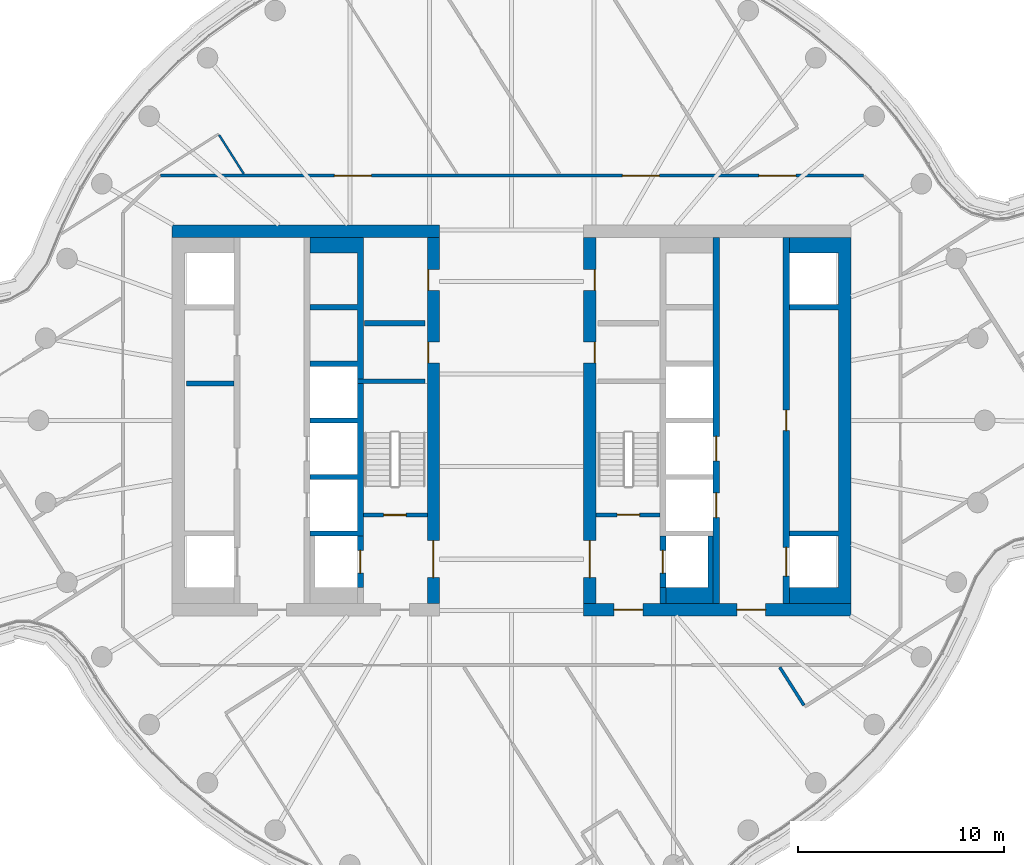
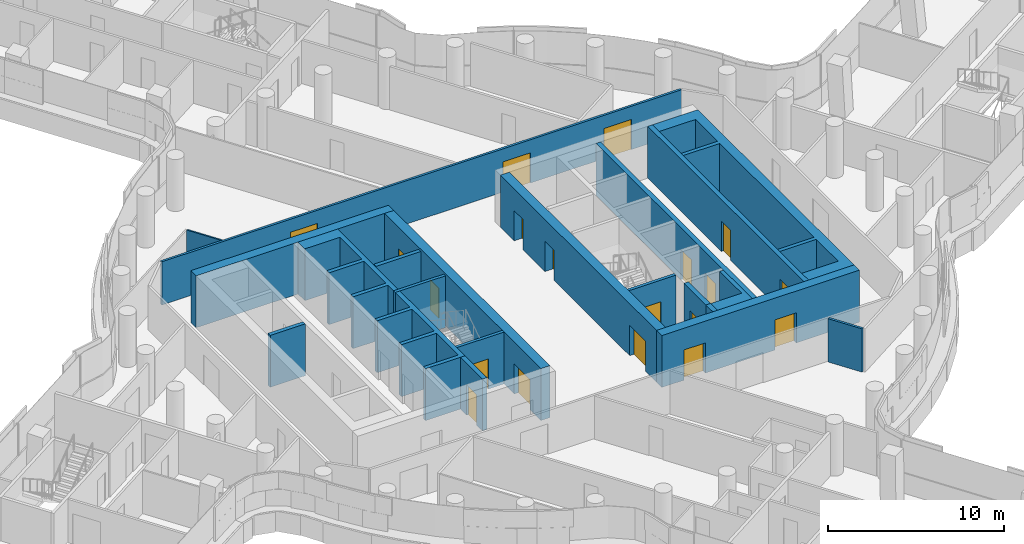
# One storey, part 25 of 36: 20 walls, 19 doors, 19 openings.
"""IFC4 building model written with IfcOpenShell, lengths in metres."""

from ifc_helpers import new_model, si_unit, direction, frame, frame_2d, origin, place, context, subcontext, project, spatial, polyline, rectangle, outline, extrude, material, layer, layer_set, type_object, element, fill, save


model = new_model("IFC4")

# Units and contexts
model_context = context("Model", 3, precision=1e-05, world=origin(), true_north=direction((0.0, 1.0)))
body_context = subcontext(model_context, "Body", "Model", "MODEL_VIEW")
ifc_project = project(units=[si_unit("LENGTHUNIT", "METRE"), si_unit("AREAUNIT", "SQUARE_METRE"), si_unit("VOLUMEUNIT", "CUBIC_METRE"), si_unit("PLANEANGLEUNIT", "RADIAN"), si_unit("MASSUNIT", "GRAM", prefix="KILO")], contexts=[model_context])

# Site, building, storey
site_placement = place(None, origin())
site = spatial("IfcSite", under=ifc_project, at=site_placement, CompositionType="ELEMENT")
building_placement = place(site_placement, origin())
building = spatial("IfcBuilding", under=site, at=building_placement, Name="Tamarind Cross Interchange Tower", CompositionType="ELEMENT")
storey_placement = place(building_placement, frame((0.0, 0.0, 151.75)))
storey = spatial("IfcBuildingStorey", under=building, at=storey_placement, Name="L37", CompositionType="ELEMENT", Elevation=151.75)

# Wall
ifc_material_1 = material(Name="Concrete C60", Category="concrete")
ifc_layer_1 = layer(ifc_material_1, 0.60009765625)
ifc_layer_set_1 = layer_set([ifc_layer_1], Name="Concrete C60")
wall_type_1 = type_object("IfcWallType", Name="Core wall 600 mm Concrete C60", PredefinedType="SHEAR", material=ifc_layer_set_1)
wall_1_placement = place(storey_placement, frame((-16.5, 9.199951171875, 0.0), z_axis=(0.0, 0.0, 1.0), x_axis=(1.0, 0.0, 0.0)))
element("IfcWall", 1, at=wall_1_placement, inside=storey, type_object=wall_type_1, Name="Core wall CWL-L37-W-NE", PredefinedType="SHEAR", context=body_context, shape_type="SweptSolid", body=[
    extrude(rectangle(XDim=13.0, YDim=0.60009765625, at=frame_2d((6.5, 0.0))), origin(), (0.0, 0.0, 1.0), 3.610107421875),
])

# Wall, openings, doors
wall_2_placement = place(storey_placement, frame((-3.800048828125, -8.89990234375, 0.0), z_axis=(0.0, 0.0, 1.0), x_axis=(0.0, 1.0, 0.0)))
wall_2 = element("IfcWall", 2, at=wall_2_placement, inside=storey, type_object=wall_type_1, Name="Core wall CWL-L37-W-IN", PredefinedType="SHEAR", context=body_context, shape_type="SweptSolid", body=[
    extrude(rectangle(XDim=17.7998046875, YDim=0.60009765625, at=frame_2d((8.89990234375, 0.0))), origin(), (0.0, 0.0, 1.0), 3.610107421875),
])
opening_1_placement = place(wall_2_placement, frame((1.25, 0.0, 0.0)))
opening_1 = element("IfcOpeningElement", 3, at=opening_1_placement, cuts=wall_2, Name="Opening DCW4", PredefinedType="OPENING", context=body_context, shape_type="SweptSolid", body=[
    extrude(rectangle(XDim=1.800048828125, YDim=2.10009765625, at=frame_2d((0.89990234375, 1.050048828125))), frame((0.0, 0.31005859375, 0.0), z_axis=(0.0, -1.0, 0.0), x_axis=(1.0, 0.0, 0.0)), (0.0, 0.0, 1.0), 0.6201171875),
])
opening_2_placement = place(wall_2_placement, frame((11.697509765625, 0.0, 0.0)))
opening_2 = element("IfcOpeningElement", 4, at=opening_2_placement, cuts=wall_2, Name="Opening DCW5", PredefinedType="OPENING", context=body_context, shape_type="SweptSolid", body=[
    extrude(rectangle(XDim=1.0, YDim=2.10009765625, at=frame_2d((0.5, 1.050048828125))), frame((0.0, 0.31005859375, 0.0), z_axis=(0.0, -1.0, 0.0), x_axis=(1.0, 0.0, 0.0)), (0.0, 0.0, 1.0), 0.6201171875),
])
opening_3_placement = place(wall_2_placement, frame((15.222412109375, 0.0, 0.0)))
opening_3 = element("IfcOpeningElement", 5, at=opening_3_placement, cuts=wall_2, Name="Opening DCW5", PredefinedType="OPENING", context=body_context, shape_type="SweptSolid", body=[
    extrude(rectangle(XDim=1.0, YDim=2.10009765625, at=frame_2d((0.5, 1.050048828125))), frame((0.0, 0.31005859375, 0.0), z_axis=(0.0, -1.0, 0.0), x_axis=(1.0, 0.0, 0.0)), (0.0, 0.0, 1.0), 0.6201171875),
])
ifc_material_2 = material(Name="Steel, fire-resisting", Category="steel")
door_type_1 = type_object("IfcDoorType", Name="Core fire door 1000 x 2100 FD90", OperationType="SINGLE_SWING_LEFT", PredefinedType="DOOR", material=ifc_material_2)
door_1_placement = place(opening_2_placement, origin())
door_1 = element("IfcDoor", 6, at=door_1_placement, inside=storey, type_object=door_type_1, Name="L37 comms room door", OperationType="SINGLE_SWING_LEFT", OverallHeight=2.10009765625, OverallWidth=1.0, PredefinedType="DOOR", context=body_context, shape_type="SweptSolid", body=[
    extrude(rectangle(XDim=1.0, YDim=2.10009765625, at=frame_2d((0.5, 1.050048828125))), frame((0.0, 0.27490234375, 0.0), z_axis=(0.0, -1.0, 0.0), x_axis=(1.0, 0.0, 0.0)), (0.0, 0.0, 1.0), 0.050048828125),
])
fill(opening_2, door_1)
door_2_placement = place(opening_3_placement, origin())
door_2 = element("IfcDoor", 7, at=door_2_placement, inside=storey, type_object=door_type_1, Name="L37 cleaner's store door", OperationType="SINGLE_SWING_LEFT", OverallHeight=2.10009765625, OverallWidth=1.0, PredefinedType="DOOR", context=body_context, shape_type="SweptSolid", body=[
    extrude(rectangle(XDim=1.0, YDim=2.10009765625, at=frame_2d((0.5, 1.050048828125))), frame((0.0, 0.27490234375, 0.0), z_axis=(0.0, -1.0, 0.0), x_axis=(1.0, 0.0, 0.0)), (0.0, 0.0, 1.0), 0.050048828125),
])
fill(opening_3, door_2)
door_type_2 = type_object("IfcDoorType", Name="Core fire door 1800 x 2100 FD90", OperationType="SINGLE_SWING_LEFT", PredefinedType="DOOR", material=ifc_material_2)
door_3_placement = place(opening_1_placement, origin())
door_3 = element("IfcDoor", 8, at=door_3_placement, inside=storey, type_object=door_type_2, Name="L37 firefighting lobby door", OperationType="SINGLE_SWING_LEFT", OverallHeight=2.10009765625, OverallWidth=1.800048828125, PredefinedType="DOOR", context=body_context, shape_type="SweptSolid", body=[
    extrude(rectangle(XDim=1.800048828125, YDim=2.10009765625, at=frame_2d((0.89990234375, 1.050048828125))), frame((0.0, 0.02490234375, 0.0), z_axis=(0.0, -1.0, 0.0), x_axis=(1.0, 0.0, 0.0)), (0.0, 0.0, 1.0), 0.050048828125),
])
fill(opening_1, door_3)

wall_3_placement = place(storey_placement, frame((16.5, -9.199951171875, 0.0), z_axis=(0.0, 0.0, 1.0), x_axis=(-1.0, 0.0, 0.0)))
wall_3 = element("IfcWall", 9, at=wall_3_placement, inside=storey, type_object=wall_type_1, Name="Core wall CWL-L37-E-S", PredefinedType="SHEAR", context=body_context, shape_type="SweptSolid", body=[
    extrude(rectangle(XDim=13.0, YDim=0.60009765625, at=frame_2d((6.5, 0.0))), origin(), (0.0, 0.0, 1.0), 3.610107421875),
])
opening_4_placement = place(wall_3_placement, frame((4.14990234375, 0.0, 0.0)))
opening_4 = element("IfcOpeningElement", 10, at=opening_4_placement, cuts=wall_3, Name="Opening DCE1", PredefinedType="OPENING", context=body_context, shape_type="SweptSolid", body=[
    extrude(rectangle(XDim=1.39990234375, YDim=2.10009765625, at=frame_2d((0.699951171875, 1.050048828125))), frame((0.0, 0.31005859375, 0.0), z_axis=(0.0, -1.0, 0.0), x_axis=(1.0, 0.0, 0.0)), (0.0, 0.0, 1.0), 0.6201171875),
])
opening_5_placement = place(wall_3_placement, frame((10.125, 0.0, 0.0)))
opening_5 = element("IfcOpeningElement", 11, at=opening_5_placement, cuts=wall_3, Name="Opening DCEF", PredefinedType="OPENING", context=body_context, shape_type="SweptSolid", body=[
    extrude(rectangle(XDim=1.39990234375, YDim=2.10009765625, at=frame_2d((0.699951171875, 1.050048828125))), frame((0.0, 0.31005859375, 0.0), z_axis=(0.0, -1.0, 0.0), x_axis=(1.0, 0.0, 0.0)), (0.0, 0.0, 1.0), 0.6201171875),
])
door_type_3 = type_object("IfcDoorType", Name="Core fire door 1400 x 2100 FD90", OperationType="SINGLE_SWING_LEFT", PredefinedType="DOOR", material=ifc_material_2)
door_4_placement = place(opening_4_placement, origin())
door_4 = element("IfcDoor", 12, at=door_4_placement, inside=storey, type_object=door_type_3, Name="L37 lift lobby door", OperationType="SINGLE_SWING_LEFT", OverallHeight=2.10009765625, OverallWidth=1.39990234375, PredefinedType="DOOR", context=body_context, shape_type="SweptSolid", body=[
    extrude(rectangle(XDim=1.39990234375, YDim=2.10009765625, at=frame_2d((0.699951171875, 1.050048828125))), frame((0.0, 0.02490234375, 0.0), z_axis=(0.0, -1.0, 0.0), x_axis=(1.0, 0.0, 0.0)), (0.0, 0.0, 1.0), 0.050048828125),
])
fill(opening_4, door_4)
door_5_placement = place(opening_5_placement, origin())
door_5 = element("IfcDoor", 13, at=door_5_placement, inside=storey, type_object=door_type_3, Name="L37 firefighting lobby end door", OperationType="SINGLE_SWING_LEFT", OverallHeight=2.10009765625, OverallWidth=1.39990234375, PredefinedType="DOOR", context=body_context, shape_type="SweptSolid", body=[
    extrude(rectangle(XDim=1.39990234375, YDim=2.10009765625, at=frame_2d((0.699951171875, 1.050048828125))), frame((0.0, 0.02490234375, 0.0), z_axis=(0.0, -1.0, 0.0), x_axis=(1.0, 0.0, 0.0)), (0.0, 0.0, 1.0), 0.050048828125),
])
fill(opening_5, door_5)

# Wall
wall_4_placement = place(storey_placement, origin())
element("IfcWall", 14, at=wall_4_placement, inside=storey, type_object=wall_type_1, Name="Core wall CWL-L37-E-A", PredefinedType="SHEAR", context=body_context, shape_type="SweptSolid", body=[
    extrude(outline(polyline([(13.5, -8.125), (13.5, -8.89990234375), (15.89990234375, -8.89990234375), (16.5, -8.89990234375), (16.5, 8.89990234375), (15.89990234375, 8.89990234375), (13.5, 8.89990234375), (13.5, 8.125), (15.89990234375, 8.125), (15.89990234375, 5.625), (13.5, 5.625), (13.5, 5.375), (15.89990234375, 5.375), (15.89990234375, -5.375), (13.5, -5.375), (13.5, -5.625), (15.89990234375, -5.625), (15.89990234375, -8.125), (13.5, -8.125)])), origin(), (0.0, 0.0, 1.0), 3.610107421875),
])

# Wall, openings, doors
wall_5_placement = place(storey_placement, frame((3.800048828125, -8.89990234375, 0.0), z_axis=(0.0, 0.0, 1.0), x_axis=(0.0, 1.0, 0.0)))
wall_5 = element("IfcWall", 15, at=wall_5_placement, inside=storey, type_object=wall_type_1, Name="Core wall CWL-L37-E-IN", PredefinedType="SHEAR", context=body_context, shape_type="SweptSolid", body=[
    extrude(rectangle(XDim=17.7998046875, YDim=0.60009765625, at=frame_2d((8.89990234375, 0.0))), origin(), (0.0, 0.0, 1.0), 3.610107421875),
])
opening_6_placement = place(wall_5_placement, frame((1.25, 0.0, 0.0)))
opening_6 = element("IfcOpeningElement", 16, at=opening_6_placement, cuts=wall_5, Name="Opening DCE4", PredefinedType="OPENING", context=body_context, shape_type="SweptSolid", body=[
    extrude(rectangle(XDim=1.800048828125, YDim=2.10009765625, at=frame_2d((0.89990234375, 1.050048828125))), frame((0.0, 0.31005859375, 0.0), z_axis=(0.0, -1.0, 0.0), x_axis=(1.0, 0.0, 0.0)), (0.0, 0.0, 1.0), 0.6201171875),
])
opening_7_placement = place(wall_5_placement, frame((11.697509765625, 0.0, 0.0)))
opening_7 = element("IfcOpeningElement", 17, at=opening_7_placement, cuts=wall_5, Name="Opening DCE5", PredefinedType="OPENING", context=body_context, shape_type="SweptSolid", body=[
    extrude(rectangle(XDim=1.0, YDim=2.10009765625, at=frame_2d((0.5, 1.050048828125))), frame((0.0, 0.31005859375, 0.0), z_axis=(0.0, -1.0, 0.0), x_axis=(1.0, 0.0, 0.0)), (0.0, 0.0, 1.0), 0.6201171875),
])
opening_8_placement = place(wall_5_placement, frame((15.222412109375, 0.0, 0.0)))
opening_8 = element("IfcOpeningElement", 18, at=opening_8_placement, cuts=wall_5, Name="Opening DCE5", PredefinedType="OPENING", context=body_context, shape_type="SweptSolid", body=[
    extrude(rectangle(XDim=1.0, YDim=2.10009765625, at=frame_2d((0.5, 1.050048828125))), frame((0.0, 0.31005859375, 0.0), z_axis=(0.0, -1.0, 0.0), x_axis=(1.0, 0.0, 0.0)), (0.0, 0.0, 1.0), 0.6201171875),
])
door_6_placement = place(opening_7_placement, origin())
door_6 = element("IfcDoor", 19, at=door_6_placement, inside=storey, type_object=door_type_1, Name="L37 comms room door", OperationType="SINGLE_SWING_LEFT", OverallHeight=2.10009765625, OverallWidth=1.0, PredefinedType="DOOR", context=body_context, shape_type="SweptSolid", body=[
    extrude(rectangle(XDim=1.0, YDim=2.10009765625, at=frame_2d((0.5, 1.050048828125))), frame((0.0, -0.22509765625, 0.0), z_axis=(0.0, -1.0, 0.0), x_axis=(1.0, 0.0, 0.0)), (0.0, 0.0, 1.0), 0.050048828125),
])
fill(opening_7, door_6)
door_7_placement = place(opening_8_placement, origin())
door_7 = element("IfcDoor", 20, at=door_7_placement, inside=storey, type_object=door_type_1, Name="L37 cleaner's store door", OperationType="SINGLE_SWING_LEFT", OverallHeight=2.10009765625, OverallWidth=1.0, PredefinedType="DOOR", context=body_context, shape_type="SweptSolid", body=[
    extrude(rectangle(XDim=1.0, YDim=2.10009765625, at=frame_2d((0.5, 1.050048828125))), frame((0.0, -0.22509765625, 0.0), z_axis=(0.0, -1.0, 0.0), x_axis=(1.0, 0.0, 0.0)), (0.0, 0.0, 1.0), 0.050048828125),
])
fill(opening_8, door_7)
door_8_placement = place(opening_6_placement, origin())
door_8 = element("IfcDoor", 21, at=door_8_placement, inside=storey, type_object=door_type_2, Name="L37 firefighting lobby door", OperationType="SINGLE_SWING_LEFT", OverallHeight=2.10009765625, OverallWidth=1.800048828125, PredefinedType="DOOR", context=body_context, shape_type="SweptSolid", body=[
    extrude(rectangle(XDim=1.800048828125, YDim=2.10009765625, at=frame_2d((0.89990234375, 1.050048828125))), frame((0.0, 0.02490234375, 0.0), z_axis=(0.0, -1.0, 0.0), x_axis=(1.0, 0.0, 0.0)), (0.0, 0.0, 1.0), 0.050048828125),
])
fill(opening_6, door_8)

# Walls
ifc_layer_2 = layer(ifc_material_1, 0.199951171875)
ifc_layer_set_2 = layer_set([ifc_layer_2], Name="Concrete C60")
wall_type_2 = type_object("IfcWallType", Name="Core web wall 200 mm Concrete C60", PredefinedType="SHEAR", material=ifc_layer_set_2)
wall_6_placement = place(storey_placement, frame((-7.5, 1.89990234375, 0.0), z_axis=(0.0, 0.0, 1.0), x_axis=(1.0, 0.0, 0.0)))
element("IfcWall", 22, at=wall_6_placement, inside=storey, type_object=wall_type_2, Name="Core wall CWL-L37-W-BD", PredefinedType="SHEAR", context=body_context, shape_type="SweptSolid", body=[
    extrude(rectangle(XDim=3.300048828125, YDim=0.199951171875, at=frame_2d((1.64990234375, 0.0))), origin(), (0.0, 0.0, 1.0), 3.610107421875),
])
ifc_layer_3 = layer(ifc_material_1, 0.300048828125)
ifc_layer_set_3 = layer_set([ifc_layer_3], Name="Concrete C60")
wall_type_3 = type_object("IfcWallType", Name="Core web wall 300 mm Concrete C60", PredefinedType="SHEAR", material=ifc_layer_set_3)
wall_7_placement = place(storey_placement, origin())
element("IfcWall", 23, at=wall_7_placement, inside=storey, type_object=wall_type_3, Name="Core wall CWL-L37-W-BN", PredefinedType="SHEAR", context=body_context, shape_type="SweptSolid", body=[
    extrude(outline(polyline([(-9.800048828125, -5.375), (-9.800048828125, -5.625), (-7.5, -5.625), (-7.199951171875, -5.625), (-7.199951171875, 8.89990234375), (-7.5, 8.89990234375), (-9.800048828125, 8.89990234375), (-9.800048828125, 8.125), (-7.5, 8.125), (-7.5, 5.625), (-9.800048828125, 5.625), (-9.800048828125, 5.375), (-7.5, 5.375), (-7.5, 2.875), (-9.800048828125, 2.875), (-9.800048828125, 2.625), (-7.5, 2.625), (-7.5, 0.125), (-9.800048828125, 0.125), (-9.800048828125, -0.125), (-7.5, -0.125), (-7.5, -2.625), (-9.800048828125, -2.625), (-9.800048828125, -2.875), (-7.5, -2.875), (-7.5, -5.375), (-9.800048828125, -5.375)])), origin(), (0.0, 0.0, 1.0), 3.610107421875),
])

# Wall, opening, door
wall_8_placement = place(storey_placement, frame((-7.35009765625, -8.125, 0.0), z_axis=(0.0, 0.0, 1.0), x_axis=(0.0, 1.0, 0.0)))
wall_8 = element("IfcWall", 24, at=wall_8_placement, inside=storey, type_object=wall_type_3, Name="Core wall CWL-L37-W-FF", PredefinedType="SHEAR", context=body_context, shape_type="SweptSolid", body=[
    extrude(rectangle(XDim=2.5, YDim=0.300048828125, at=frame_2d((1.25, 0.0))), origin(), (0.0, 0.0, 1.0), 3.610107421875),
])
opening_9_placement = place(wall_8_placement, frame((0.699951171875, 0.0, 0.0)))
opening_9 = element("IfcOpeningElement", 25, at=opening_9_placement, cuts=wall_8, Name="Opening LD7L37", PredefinedType="OPENING", context=body_context, shape_type="SweptSolid", body=[
    extrude(rectangle(XDim=1.10009765625, YDim=2.10009765625, at=frame_2d((0.550048828125, 1.050048828125))), frame((0.0, 0.159912109375, 0.0), z_axis=(0.0, -1.0, 0.0), x_axis=(1.0, 0.0, 0.0)), (0.0, 0.0, 1.0), 0.320068359375),
])
ifc_material_3 = material(Name="Stainless steel panel", Category="steel")
door_type_4 = type_object("IfcDoorType", Name="Lift landing door 1100 x 2100 E 120", OperationType="SLIDING_TO_LEFT", PredefinedType="DOOR", material=ifc_material_3)
door_9_placement = place(opening_9_placement, origin())
door_9 = element("IfcDoor", 26, at=door_9_placement, inside=storey, type_object=door_type_4, Name="L37 landing door LF7", OperationType="SLIDING_TO_LEFT", OverallHeight=2.10009765625, OverallWidth=1.10009765625, PredefinedType="DOOR", context=body_context, shape_type="SweptSolid", body=[
    extrude(rectangle(XDim=1.10009765625, YDim=2.10009765625, at=frame_2d((0.550048828125, 1.050048828125))), frame((0.0, 0.02490234375, 0.0), z_axis=(0.0, -1.0, 0.0), x_axis=(1.0, 0.0, 0.0)), (0.0, 0.0, 1.0), 0.050048828125),
])
fill(opening_9, door_9)

# Walls
wall_9_placement = place(storey_placement, origin())
element("IfcWall", 27, at=wall_9_placement, inside=storey, type_object=wall_type_3, Name="Core wall CWL-L37-E-BS", PredefinedType="SHEAR", context=body_context, shape_type="SweptSolid", body=[
    extrude(outline(polyline([(7.5, -8.125), (7.5, -8.89990234375), (9.800048828125, -8.89990234375), (9.800048828125, -8.125), (9.800048828125, -5.625), (9.550048828125, -5.625), (9.550048828125, -8.125), (7.5, -8.125)])), origin(), (0.0, 0.0, 1.0), 3.610107421875),
])
wall_10_placement = place(storey_placement, frame((7.35009765625, -8.89990234375, 0.0), z_axis=(0.0, 0.0, 1.0), x_axis=(0.0, 1.0, 0.0)))
element("IfcWall", 28, at=wall_10_placement, inside=storey, type_object=wall_type_3, Name="Core wall CWL-L37-E-BW", PredefinedType="SHEAR", context=body_context, shape_type="SweptSolid", body=[
    extrude(rectangle(XDim=0.77490234375, YDim=0.300048828125, at=frame_2d((0.387451171875, 0.0))), origin(), (0.0, 0.0, 1.0), 3.610107421875),
])

# Wall, openings, doors
wall_11_placement = place(storey_placement, frame((13.35009765625, -8.89990234375, 0.0), z_axis=(0.0, 0.0, 1.0), x_axis=(0.0, 1.0, 0.0)))
wall_11 = element("IfcWall", 29, at=wall_11_placement, inside=storey, type_object=wall_type_3, Name="Core wall CWL-L37-E-LA", PredefinedType="SHEAR", context=body_context, shape_type="SweptSolid", body=[
    extrude(rectangle(XDim=17.7998046875, YDim=0.300048828125, at=frame_2d((8.89990234375, 0.0))), origin(), (0.0, 0.0, 1.0), 3.610107421875),
])
opening_10_placement = place(wall_11_placement, frame((1.324951171875, 0.0, 0.0)))
opening_10 = element("IfcOpeningElement", 30, at=opening_10_placement, cuts=wall_11, Name="Opening LD13L37", PredefinedType="OPENING", context=body_context, shape_type="SweptSolid", body=[
    extrude(rectangle(XDim=1.39990234375, YDim=2.10009765625, at=frame_2d((0.699951171875, 1.050048828125))), frame((0.0, 0.159912109375, 0.0), z_axis=(0.0, -1.0, 0.0), x_axis=(1.0, 0.0, 0.0)), (0.0, 0.0, 1.0), 0.320068359375),
])
opening_11_placement = place(wall_11_placement, frame((8.39990234375, 0.0, 0.0)))
opening_11 = element("IfcOpeningElement", 31, at=opening_11_placement, cuts=wall_11, Name="Opening DCE9", PredefinedType="OPENING", context=body_context, shape_type="SweptSolid", body=[
    extrude(rectangle(XDim=1.0, YDim=2.10009765625, at=frame_2d((0.5, 1.050048828125))), frame((0.0, 0.159912109375, 0.0), z_axis=(0.0, -1.0, 0.0), x_axis=(1.0, 0.0, 0.0)), (0.0, 0.0, 1.0), 0.320068359375),
])
door_10_placement = place(opening_11_placement, origin())
door_10 = element("IfcDoor", 32, at=door_10_placement, inside=storey, type_object=door_type_1, Name="L37 Meter room door", OperationType="SINGLE_SWING_LEFT", OverallHeight=2.10009765625, OverallWidth=1.0, PredefinedType="DOOR", context=body_context, shape_type="SweptSolid", body=[
    extrude(rectangle(XDim=1.0, YDim=2.10009765625, at=frame_2d((0.5, 1.050048828125))), frame((0.0, 0.02490234375, 0.0), z_axis=(0.0, -1.0, 0.0), x_axis=(1.0, 0.0, 0.0)), (0.0, 0.0, 1.0), 0.050048828125),
])
fill(opening_11, door_10)
door_type_5 = type_object("IfcDoorType", Name="Lift landing door 1400 x 2100 E 120", OperationType="SLIDING_TO_LEFT", PredefinedType="DOOR", material=ifc_material_3)
door_11_placement = place(opening_10_placement, origin())
door_11 = element("IfcDoor", 33, at=door_11_placement, inside=storey, type_object=door_type_5, Name="L37 landing door LF13", OperationType="SLIDING_TO_LEFT", OverallHeight=2.10009765625, OverallWidth=1.39990234375, PredefinedType="DOOR", context=body_context, shape_type="SweptSolid", body=[
    extrude(rectangle(XDim=1.39990234375, YDim=2.10009765625, at=frame_2d((0.699951171875, 1.050048828125))), frame((0.0, 0.02490234375, 0.0), z_axis=(0.0, -1.0, 0.0), x_axis=(1.0, 0.0, 0.0)), (0.0, 0.0, 1.0), 0.050048828125),
])
fill(opening_10, door_11)

wall_12_placement = place(storey_placement, frame((9.949951171875, -8.89990234375, 0.0), z_axis=(0.0, 0.0, 1.0), x_axis=(0.0, 1.0, 0.0)))
wall_12 = element("IfcWall", 34, at=wall_12_placement, inside=storey, type_object=wall_type_3, Name="Core wall CWL-L37-E-LB", PredefinedType="SHEAR", context=body_context, shape_type="SweptSolid", body=[
    extrude(rectangle(XDim=17.7998046875, YDim=0.300048828125, at=frame_2d((8.89990234375, 0.0))), origin(), (0.0, 0.0, 1.0), 3.610107421875),
])
opening_12_placement = place(wall_12_placement, frame((4.175048828125, 0.0, 0.0)))
opening_12 = element("IfcOpeningElement", 35, at=opening_12_placement, cuts=wall_12, Name="Opening LD20L37", PredefinedType="OPENING", context=body_context, shape_type="SweptSolid", body=[
    extrude(rectangle(XDim=1.199951171875, YDim=2.10009765625, at=frame_2d((0.60009765625, 1.050048828125))), frame((0.0, 0.159912109375, 0.0), z_axis=(0.0, -1.0, 0.0), x_axis=(1.0, 0.0, 0.0)), (0.0, 0.0, 1.0), 0.320068359375),
])
opening_13_placement = place(wall_12_placement, frame((6.925048828125, 0.0, 0.0)))
opening_13 = element("IfcOpeningElement", 36, at=opening_13_placement, cuts=wall_12, Name="Opening LD21L37", PredefinedType="OPENING", context=body_context, shape_type="SweptSolid", body=[
    extrude(rectangle(XDim=1.199951171875, YDim=2.10009765625, at=frame_2d((0.60009765625, 1.050048828125))), frame((0.0, 0.159912109375, 0.0), z_axis=(0.0, -1.0, 0.0), x_axis=(1.0, 0.0, 0.0)), (0.0, 0.0, 1.0), 0.320068359375),
])
door_type_6 = type_object("IfcDoorType", Name="Lift landing door 1200 x 2100 E 120", OperationType="SLIDING_TO_LEFT", PredefinedType="DOOR", material=ifc_material_3)
door_12_placement = place(opening_12_placement, origin())
door_12 = element("IfcDoor", 37, at=door_12_placement, inside=storey, type_object=door_type_6, Name="L37 landing door LF20", OperationType="SLIDING_TO_LEFT", OverallHeight=2.10009765625, OverallWidth=1.199951171875, PredefinedType="DOOR", context=body_context, shape_type="SweptSolid", body=[
    extrude(rectangle(XDim=1.199951171875, YDim=2.10009765625, at=frame_2d((0.60009765625, 1.050048828125))), frame((0.0, 0.02490234375, 0.0), z_axis=(0.0, -1.0, 0.0), x_axis=(1.0, 0.0, 0.0)), (0.0, 0.0, 1.0), 0.050048828125),
])
fill(opening_12, door_12)
door_13_placement = place(opening_13_placement, origin())
door_13 = element("IfcDoor", 38, at=door_13_placement, inside=storey, type_object=door_type_6, Name="L37 landing door LF21", OperationType="SLIDING_TO_LEFT", OverallHeight=2.10009765625, OverallWidth=1.199951171875, PredefinedType="DOOR", context=body_context, shape_type="SweptSolid", body=[
    extrude(rectangle(XDim=1.199951171875, YDim=2.10009765625, at=frame_2d((0.60009765625, 1.050048828125))), frame((0.0, 0.02490234375, 0.0), z_axis=(0.0, -1.0, 0.0), x_axis=(1.0, 0.0, 0.0)), (0.0, 0.0, 1.0), 0.050048828125),
])
fill(opening_13, door_13)

# Wall, opening, door
wall_13_placement = place(storey_placement, frame((7.35009765625, -8.125, 0.0), z_axis=(0.0, 0.0, 1.0), x_axis=(0.0, 1.0, 0.0)))
wall_13 = element("IfcWall", 39, at=wall_13_placement, inside=storey, type_object=wall_type_3, Name="Core wall CWL-L37-E-FF", PredefinedType="SHEAR", context=body_context, shape_type="SweptSolid", body=[
    extrude(rectangle(XDim=2.5, YDim=0.300048828125, at=frame_2d((1.25, 0.0))), origin(), (0.0, 0.0, 1.0), 3.610107421875),
])
opening_14_placement = place(wall_13_placement, frame((0.699951171875, 0.0, 0.0)))
opening_14 = element("IfcOpeningElement", 40, at=opening_14_placement, cuts=wall_13, Name="Opening LD19L37", PredefinedType="OPENING", context=body_context, shape_type="SweptSolid", body=[
    extrude(rectangle(XDim=1.10009765625, YDim=2.10009765625, at=frame_2d((0.550048828125, 1.050048828125))), frame((0.0, 0.159912109375, 0.0), z_axis=(0.0, -1.0, 0.0), x_axis=(1.0, 0.0, 0.0)), (0.0, 0.0, 1.0), 0.320068359375),
])
door_14_placement = place(opening_14_placement, origin())
door_14 = element("IfcDoor", 41, at=door_14_placement, inside=storey, type_object=door_type_4, Name="L37 landing door LF19", OperationType="SLIDING_TO_LEFT", OverallHeight=2.10009765625, OverallWidth=1.10009765625, PredefinedType="DOOR", context=body_context, shape_type="SweptSolid", body=[
    extrude(rectangle(XDim=1.10009765625, YDim=2.10009765625, at=frame_2d((0.550048828125, 1.050048828125))), frame((0.0, 0.02490234375, 0.0), z_axis=(0.0, -1.0, 0.0), x_axis=(1.0, 0.0, 0.0)), (0.0, 0.0, 1.0), 0.050048828125),
])
fill(opening_14, door_14)

# Walls
ifc_material_4 = material(Name="Gypsum board partition on steel studs", Category="steel")
ifc_layer_4 = layer(ifc_material_4, 0.10009765625)
ifc_layer_set_4 = layer_set([ifc_layer_4], Name="Gypsum board partition on steel studs")
wall_type_4 = type_object("IfcWallType", Name="Partition 100 mm EI 90", PredefinedType="PARTITIONING", material=ifc_layer_set_4)
wall_14_placement = place(storey_placement, frame((-14.22216796875, 13.874755859375, 0.0), z_axis=(0.0, 0.0, 1.0), x_axis=(0.535498381377, -0.844536253539, 0.0)))
element("IfcWall", 42, at=wall_14_placement, inside=storey, type_object=wall_type_4, Name="Partition L37-007", PredefinedType="PARTITIONING", context=body_context, shape_type="SweptSolid", body=[
    extrude(rectangle(XDim=2.238037109375, YDim=0.10009765625, at=frame_2d((1.119140625, 0.0))), origin(), (0.0, 0.0, 1.0), 3.010009765625),
])
ifc_layer_5 = layer(ifc_material_4, 0.14990234375)
ifc_layer_set_5 = layer_set([ifc_layer_5], Name="Gypsum board partition on steel studs")
wall_type_5 = type_object("IfcWallType", Name="Partition 150 mm EI 120", PredefinedType="PARTITIONING", material=ifc_layer_set_5)
wall_15_placement = place(storey_placement, frame((13.031494140625, -11.9970703125, 0.0), z_axis=(0.0, 0.0, 1.0), x_axis=(0.535487935778, -0.84454287673, 0.0)))
element("IfcWall", 43, at=wall_15_placement, inside=storey, type_object=wall_type_5, Name="Partition L37-028", PredefinedType="PARTITIONING", context=body_context, shape_type="SweptSolid", body=[
    extrude(rectangle(XDim=2.198486328125, YDim=0.14990234375, at=frame_2d((1.09912109375, 0.0))), origin(), (0.0, 0.0, 1.0), 3.010009765625),
])

# Wall, openings, doors
wall_16_placement = place(storey_placement, frame((-17.06494140625, 11.89990234375, 0.0), z_axis=(0.0, 0.0, 1.0), x_axis=(1.0, 0.0, 0.0)))
wall_16 = element("IfcWall", 44, at=wall_16_placement, inside=storey, type_object=wall_type_5, Name="Partition L37-036", PredefinedType="PARTITIONING", context=body_context, shape_type="SweptSolid", body=[
    extrude(rectangle(XDim=34.1650390625, YDim=0.14990234375, at=frame_2d((17.08251953125, 0.0))), origin(), (0.0, 0.0, 1.0), 3.010009765625),
])
opening_15_placement = place(wall_16_placement, frame((22.446044921875, 0.0, 0.0)))
opening_15 = element("IfcOpeningElement", 45, at=opening_15_placement, cuts=wall_16, Name="Opening D26", PredefinedType="OPENING", context=body_context, shape_type="SweptSolid", body=[
    extrude(rectangle(XDim=1.800048828125, YDim=2.10009765625, at=frame_2d((0.89990234375, 1.050048828125))), frame((0.0, 0.0849609375, 0.0), z_axis=(0.0, -1.0, 0.0), x_axis=(1.0, 0.0, 0.0)), (0.0, 0.0, 1.0), 0.169921875),
])
opening_16_placement = place(wall_16_placement, frame((29.0791015625, 0.0, 0.0)))
opening_16 = element("IfcOpeningElement", 46, at=opening_16_placement, cuts=wall_16, Name="Opening D27", PredefinedType="OPENING", context=body_context, shape_type="SweptSolid", body=[
    extrude(rectangle(XDim=1.800048828125, YDim=2.10009765625, at=frame_2d((0.89990234375, 1.050048828125))), frame((0.0, 0.0849609375, 0.0), z_axis=(0.0, -1.0, 0.0), x_axis=(1.0, 0.0, 0.0)), (0.0, 0.0, 1.0), 0.169921875),
])
opening_17_placement = place(wall_16_placement, frame((8.445068359375, 0.0, 0.0)))
opening_17 = element("IfcOpeningElement", 47, at=opening_17_placement, cuts=wall_16, Name="Opening D28", PredefinedType="OPENING", context=body_context, shape_type="SweptSolid", body=[
    extrude(rectangle(XDim=1.800048828125, YDim=2.10009765625, at=frame_2d((0.89990234375, 1.050048828125))), frame((0.0, 0.0849609375, 0.0), z_axis=(0.0, -1.0, 0.0), x_axis=(1.0, 0.0, 0.0)), (0.0, 0.0, 1.0), 0.169921875),
])
ifc_material_5 = material(Name="Fire-resisting door set")
door_type_7 = type_object("IfcDoorType", Name="Interior door 1800 x 2100 FD60S", OperationType="DOUBLE_DOOR_SINGLE_SWING", PredefinedType="DOOR", material=ifc_material_5)
door_15_placement = place(opening_15_placement, frame((1.800048828125, 0.0, 0.0), z_axis=(0.0, 0.0, 1.0), x_axis=(-1.0, 0.0, 0.0)))
door_15 = element("IfcDoor", 48, at=door_15_placement, inside=storey, type_object=door_type_7, Name="Door D26", OperationType="DOUBLE_DOOR_SINGLE_SWING", OverallHeight=2.10009765625, OverallWidth=1.800048828125, PredefinedType="DOOR", context=body_context, shape_type="SweptSolid", body=[
    extrude(rectangle(XDim=1.800048828125, YDim=2.10009765625, at=frame_2d((0.89990234375, 1.050048828125))), frame((0.0, 0.02490234375, 0.0), z_axis=(0.0, -1.0, 0.0), x_axis=(1.0, 0.0, 0.0)), (0.0, 0.0, 1.0), 0.050048828125),
])
fill(opening_15, door_15)
door_16_placement = place(opening_16_placement, origin())
door_16 = element("IfcDoor", 49, at=door_16_placement, inside=storey, type_object=door_type_7, Name="Door D27", OperationType="DOUBLE_DOOR_SINGLE_SWING", OverallHeight=2.10009765625, OverallWidth=1.800048828125, PredefinedType="DOOR", context=body_context, shape_type="SweptSolid", body=[
    extrude(rectangle(XDim=1.800048828125, YDim=2.10009765625, at=frame_2d((0.89990234375, 1.050048828125))), frame((0.0, 0.02490234375, 0.0), z_axis=(0.0, -1.0, 0.0), x_axis=(1.0, 0.0, 0.0)), (0.0, 0.0, 1.0), 0.050048828125),
])
fill(opening_16, door_16)
door_17_placement = place(opening_17_placement, origin())
door_17 = element("IfcDoor", 50, at=door_17_placement, inside=storey, type_object=door_type_7, Name="Door D28", OperationType="DOUBLE_DOOR_SINGLE_SWING", OverallHeight=2.10009765625, OverallWidth=1.800048828125, PredefinedType="DOOR", context=body_context, shape_type="SweptSolid", body=[
    extrude(rectangle(XDim=1.800048828125, YDim=2.10009765625, at=frame_2d((0.89990234375, 1.050048828125))), frame((0.0, 0.02490234375, 0.0), z_axis=(0.0, -1.0, 0.0), x_axis=(1.0, 0.0, 0.0)), (0.0, 0.0, 1.0), 0.050048828125),
])
fill(opening_17, door_17)

# Walls
ifc_material_6 = material(Name="Concrete C40", Category="concrete")
ifc_layer_6 = layer(ifc_material_6, 0.25)
ifc_layer_set_6 = layer_set([ifc_layer_6], Name="Concrete C40")
wall_type_6 = type_object("IfcWallType", Name="Shaft and lobby wall 250 mm Concrete C40", PredefinedType="PARTITIONING", material=ifc_layer_set_6)
wall_17_placement = place(storey_placement, frame((-7.14990234375, 4.719970703125, 0.0), z_axis=(0.0, 0.0, 1.0), x_axis=(1.0, 0.0, 0.0)))
element("IfcWall", 51, at=wall_17_placement, inside=storey, type_object=wall_type_6, Name="Shaft wall CWL-L37-W-SVP", PredefinedType="PARTITIONING", context=body_context, shape_type="SweptSolid", body=[
    extrude(rectangle(XDim=2.949951171875, YDim=0.25, at=frame_2d((1.47509765625, 0.0))), origin(), (0.0, 0.0, 1.0), 3.610107421875),
])
wall_18_placement = place(storey_placement, frame((-15.800048828125, 1.7919921875, 0.0), z_axis=(0.0, 0.0, 1.0), x_axis=(1.0, 0.0, 0.0)))
element("IfcWall", 52, at=wall_18_placement, inside=storey, type_object=wall_type_6, Name="Shaft wall CWL-L37-W-FPA1", PredefinedType="PARTITIONING", context=body_context, shape_type="SweptSolid", body=[
    extrude(rectangle(XDim=2.300048828125, YDim=0.25, at=frame_2d((1.14990234375, 0.0))), origin(), (0.0, 0.0, 1.0), 3.610107421875),
])

# Wall, opening, door
ifc_layer_7 = layer(ifc_material_6, 0.199951171875)
ifc_layer_set_7 = layer_set([ifc_layer_7], Name="Concrete C40")
wall_type_7 = type_object("IfcWallType", Name="Stair shaft wall 200 mm Concrete C40", PredefinedType="SHEAR", material=ifc_layer_set_7)
wall_19_placement = place(storey_placement, frame((-7.199951171875, -4.60009765625, 0.0), z_axis=(0.0, 0.0, 1.0), x_axis=(1.0, 0.0, 0.0)))
wall_19 = element("IfcWall", 53, at=wall_19_placement, inside=storey, type_object=wall_type_7, Name="Core wall CWL-L37-W-SD", PredefinedType="SHEAR", context=body_context, shape_type="SweptSolid", body=[
    extrude(rectangle(XDim=3.099853515625, YDim=0.199951171875, at=frame_2d((1.5498046875, 0.0))), origin(), (0.0, 0.0, 1.0), 3.610107421875),
])
opening_18_placement = place(wall_19_placement, frame((0.97509765625, 0.0, 0.0)))
opening_18 = element("IfcOpeningElement", 54, at=opening_18_placement, cuts=wall_19, Name="Opening DCW6", PredefinedType="OPENING", context=body_context, shape_type="SweptSolid", body=[
    extrude(rectangle(XDim=1.10009765625, YDim=2.10009765625, at=frame_2d((0.550048828125, 1.050048828125))), frame((0.0, 0.10986328125, 0.0), z_axis=(0.0, -1.0, 0.0), x_axis=(1.0, 0.0, 0.0)), (0.0, 0.0, 1.0), 0.219970703125),
])
door_type_8 = type_object("IfcDoorType", Name="Core fire door 1100 x 2100 FD90", OperationType="SINGLE_SWING_LEFT", PredefinedType="DOOR", material=ifc_material_2)
door_18_placement = place(opening_18_placement, origin())
door_18 = element("IfcDoor", 55, at=door_18_placement, inside=storey, type_object=door_type_8, Name="L37 stair door", OperationType="SINGLE_SWING_LEFT", OverallHeight=2.10009765625, OverallWidth=1.10009765625, PredefinedType="DOOR", context=body_context, shape_type="SweptSolid", body=[
    extrude(rectangle(XDim=1.10009765625, YDim=2.10009765625, at=frame_2d((0.550048828125, 1.050048828125))), frame((0.0, 0.02490234375, 0.0), z_axis=(0.0, -1.0, 0.0), x_axis=(1.0, 0.0, 0.0)), (0.0, 0.0, 1.0), 0.050048828125),
])
fill(opening_18, door_18)

wall_20_placement = place(storey_placement, frame((7.199951171875, -4.60009765625, 0.0), z_axis=(0.0, 0.0, 1.0), x_axis=(-1.0, 0.0, 0.0)))
wall_20 = element("IfcWall", 56, at=wall_20_placement, inside=storey, type_object=wall_type_7, Name="Core wall CWL-L37-E-SD", PredefinedType="SHEAR", context=body_context, shape_type="SweptSolid", body=[
    extrude(rectangle(XDim=3.099853515625, YDim=0.199951171875, at=frame_2d((1.5498046875, 0.0))), origin(), (0.0, 0.0, 1.0), 3.610107421875),
])
opening_19_placement = place(wall_20_placement, frame((0.97509765625, 0.0, 0.0)))
opening_19 = element("IfcOpeningElement", 57, at=opening_19_placement, cuts=wall_20, Name="Opening DCE6", PredefinedType="OPENING", context=body_context, shape_type="SweptSolid", body=[
    extrude(rectangle(XDim=1.10009765625, YDim=2.10009765625, at=frame_2d((0.550048828125, 1.050048828125))), frame((0.0, 0.10986328125, 0.0), z_axis=(0.0, -1.0, 0.0), x_axis=(1.0, 0.0, 0.0)), (0.0, 0.0, 1.0), 0.219970703125),
])
door_19_placement = place(opening_19_placement, origin())
door_19 = element("IfcDoor", 58, at=door_19_placement, inside=storey, type_object=door_type_8, Name="L37 stair door", OperationType="SINGLE_SWING_LEFT", OverallHeight=2.10009765625, OverallWidth=1.10009765625, PredefinedType="DOOR", context=body_context, shape_type="SweptSolid", body=[
    extrude(rectangle(XDim=1.10009765625, YDim=2.10009765625, at=frame_2d((0.550048828125, 1.050048828125))), frame((0.0, 0.02490234375, 0.0), z_axis=(0.0, -1.0, 0.0), x_axis=(1.0, 0.0, 0.0)), (0.0, 0.0, 1.0), 0.050048828125),
])
fill(opening_19, door_19)

save(model, "model.ifc")
